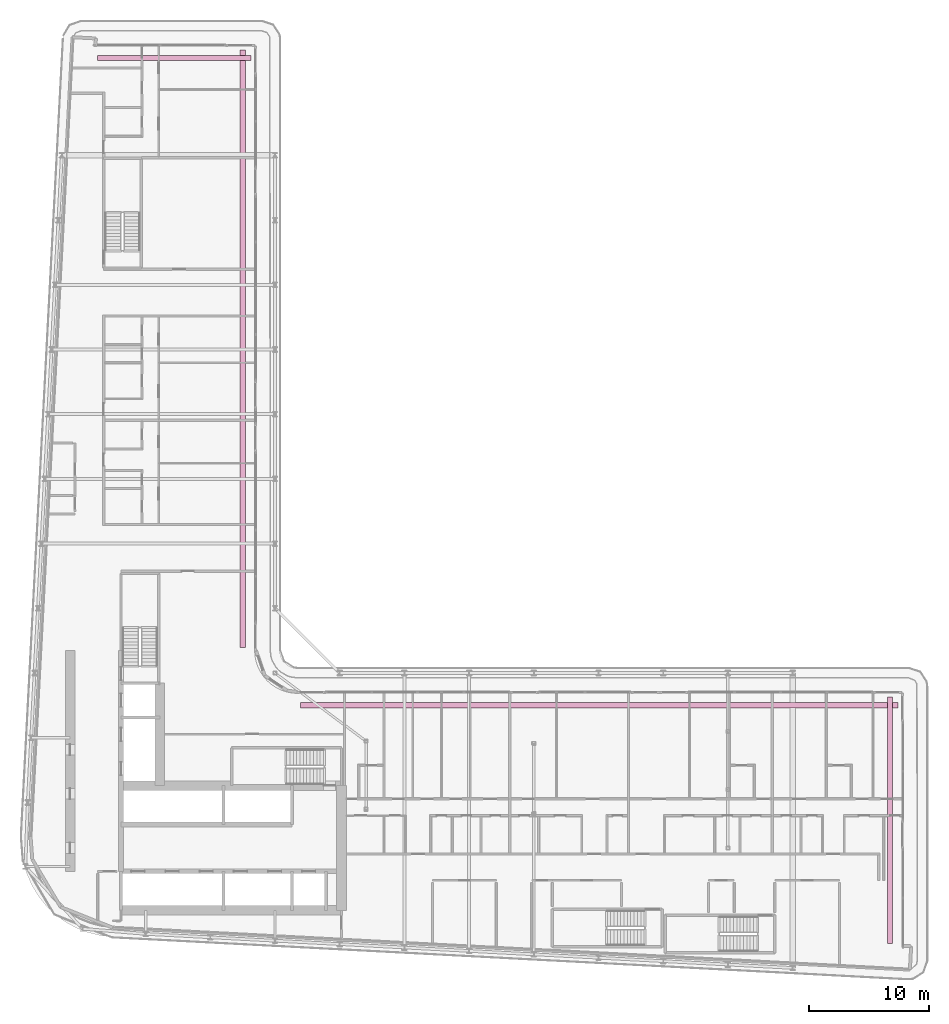
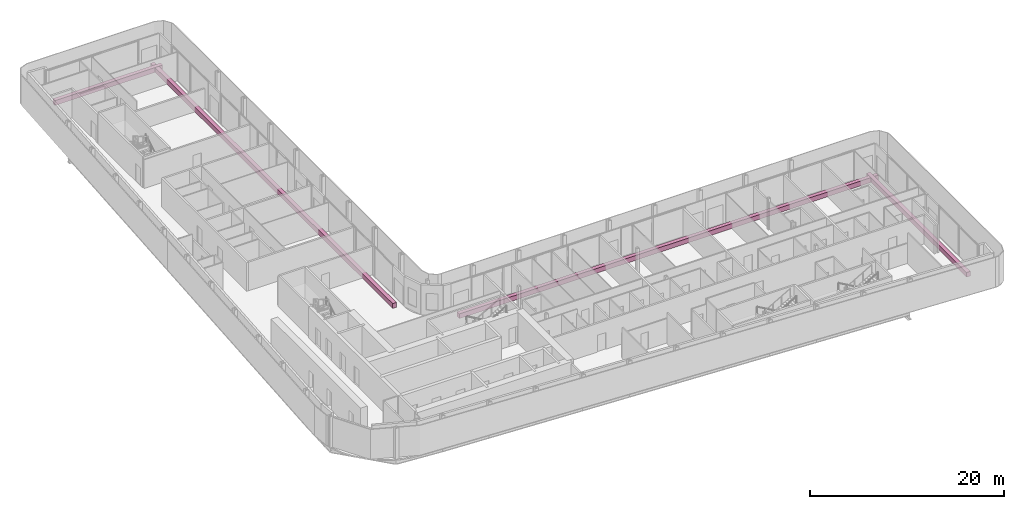
# One storey, part 30 of 30: 4 furniture elements.
"""IFC4 building model written with IfcOpenShell, lengths in metres."""

from ifc_helpers import new_model, si_unit, direction, frame, origin, origin_2d, place, context, subcontext, project, spatial, rectangle, extrude, material, type_object, element, save


model = new_model("IFC4")

# Units and contexts
model_context = context("Model", 3, precision=1e-05, world=origin(), true_north=direction((0.0, 1.0)))
body_context = subcontext(model_context, "Body", "Model", "MODEL_VIEW")
ifc_project = project(units=[si_unit("LENGTHUNIT", "METRE"), si_unit("AREAUNIT", "SQUARE_METRE"), si_unit("VOLUMEUNIT", "CUBIC_METRE"), si_unit("PLANEANGLEUNIT", "RADIAN"), si_unit("MASSUNIT", "GRAM", prefix="KILO")], contexts=[model_context])

# Site, building, storey
site_placement = place(None, origin())
site = spatial("IfcSite", under=ifc_project, at=site_placement, CompositionType="ELEMENT")
building_placement = place(site_placement, origin())
building = spatial("IfcBuilding", under=site, at=building_placement, Name="Kheshtan School and Residences Tower", CompositionType="ELEMENT")
storey_placement = place(building_placement, frame((0.0, 0.0, 199.39990234375)))
storey = spatial("IfcBuildingStorey", under=building, at=storey_placement, Name="L47", CompositionType="ELEMENT", Elevation=199.39990234375)

# Furniture
ifc_material = material(Name="Precast concrete C30/37 in terracotta finish", Category="masonry")
furniture_type = type_object("IfcFurnitureType", Name="Planter trough", AssemblyPlace="NOTDEFINED", PredefinedType="USERDEFINED", material=ifc_material)
furniture_1_placement = place(storey_placement, frame((39.196044921875, 96.925048828125, 0.0), z_axis=(0.0, 0.0, 1.0), x_axis=(1.0, 0.0, 0.0)))
element("IfcFurniture", 1, at=furniture_1_placement, inside=storey, type_object=furniture_type, Name="Planter L47", ObjectType="PLANTER", PredefinedType="USERDEFINED", context=body_context, shape_type="SweptSolid", body=[
    extrude(rectangle(XDim=12.80810546875, YDim=0.449951171875, at=origin_2d()), origin(), (0.0, 0.0, 1.0), 0.60009765625),
])
for number, where, z_axis, x_axis, name in (
    (2, (44.925048828125, 72.6650390625, 0.0), (0.0, 0.0, 1.0), (0.0, -1.0, 0.0), "Planter L47"),
    (3, (74.6650390625, 42.925048828125, 0.0), (0.0, 0.0, 1.0), (1.0, 0.0, 0.0), "Planter L47"),
):
    element("IfcFurniture", number, at=place(storey_placement, frame(where, z_axis=z_axis, x_axis=x_axis)), inside=storey, type_object=furniture_type, Name=name, ObjectType="PLANTER", PredefinedType="USERDEFINED", context=body_context, shape_type="SweptSolid", body=[
        extrude(rectangle(XDim=49.8701171875, YDim=0.449951171875, at=origin_2d()), origin(), (0.0, 0.0, 1.0), 0.60009765625),
    ])
furniture_2_placement = place(storey_placement, frame((98.925048828125, 33.306884765625, 0.0), z_axis=(0.0, 0.0, 1.0), x_axis=(0.0, -1.0, 0.0)))
element("IfcFurniture", 4, at=furniture_2_placement, inside=storey, type_object=furniture_type, Name="Planter L47", ObjectType="PLANTER", PredefinedType="USERDEFINED", context=body_context, shape_type="SweptSolid", body=[
    extrude(rectangle(XDim=20.5859375, YDim=0.449951171875, at=origin_2d()), origin(), (0.0, 0.0, 1.0), 0.60009765625),
])

save(model, "model.ifc")
